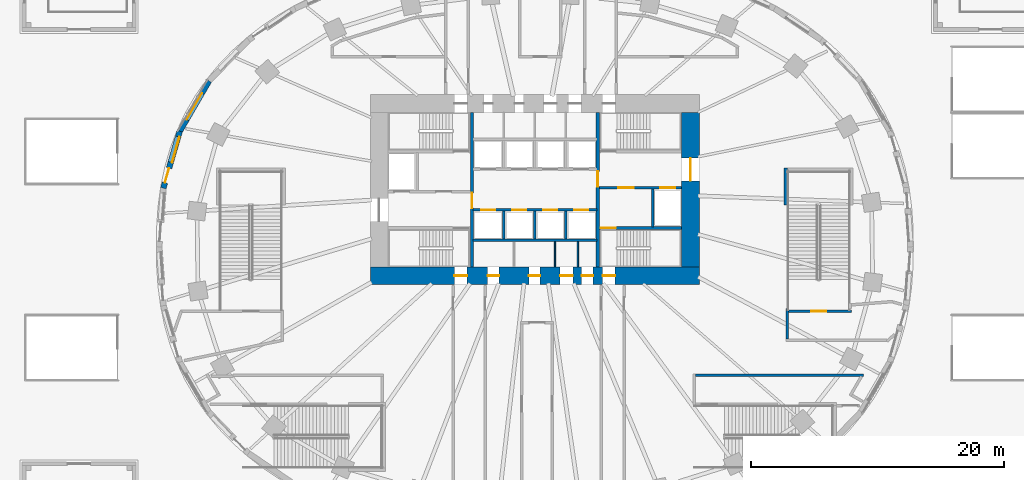
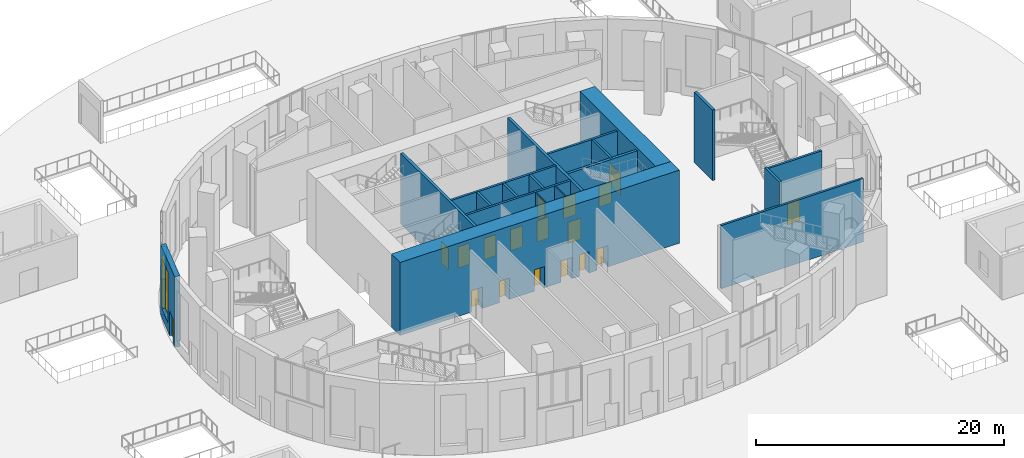
# One storey, part 13 of 27: 20 walls, 19 doors, 1 window, 20 openings.
"""IFC4 building model written with IfcOpenShell, lengths in metres."""

from ifc_helpers import new_model, si_unit, direction, frame, frame_2d, origin, place, context, subcontext, project, spatial, rectangle, extrude, material, layer, layer_set, type_object, element, fill, save


model = new_model("IFC4")

# Units and contexts
model_context = context("Model", 3, precision=1e-05, world=origin(), true_north=direction((0.0, 1.0)))
body_context = subcontext(model_context, "Body", "Model", "MODEL_VIEW")
ifc_project = project(units=[si_unit("LENGTHUNIT", "METRE"), si_unit("AREAUNIT", "SQUARE_METRE"), si_unit("VOLUMEUNIT", "CUBIC_METRE"), si_unit("PLANEANGLEUNIT", "RADIAN"), si_unit("MASSUNIT", "GRAM", prefix="KILO")], contexts=[model_context])

# Site, building, storey
site_placement = place(None, origin())
site = spatial("IfcSite", under=ifc_project, at=site_placement, CompositionType="ELEMENT")
building_placement = place(site_placement, origin())
building = spatial("IfcBuilding", under=site, at=building_placement, Name="Rubra Terraces Tower", CompositionType="ELEMENT")
storey_placement = place(building_placement, origin())
storey = spatial("IfcBuildingStorey", under=building, at=storey_placement, Name="L00", CompositionType="ELEMENT", Elevation=0.0)

# Wall, openings, door, window
ifc_material_1 = material(Name="Brick masonry red-brown", Category="masonry")
ifc_layer_1 = layer(ifc_material_1, 0.449951171875)
ifc_layer_set_1 = layer_set([ifc_layer_1], Name="Brick masonry red-brown")
wall_type_1 = type_object("IfcWallType", Name="Brick facade wall 450", PredefinedType="SOLIDWALL", material=ifc_layer_set_1)
wall_1_placement = place(storey_placement, frame((-28.0517578125, 9.122802734375, 0.0), z_axis=(0.0, 0.0, 1.0), x_axis=(-0.27637239746, -0.961050621935, 0.0)))
wall_1 = element("IfcWall", 1, at=wall_1_placement, inside=storey, type_object=wall_type_1, Name="Facade wall L00 bay 19", PredefinedType="SOLIDWALL", context=body_context, shape_type="SweptSolid", body=[
    extrude(rectangle(XDim=4.685302734375, YDim=0.449951171875, at=frame_2d((2.3427734375, 0.0))), origin(), (0.0, 0.0, 1.0), 6.949951171875),
])
opening_1_placement = place(wall_1_placement, frame((0.449951171875, 0.0, 0.89990234375)))
opening_1 = element("IfcOpeningElement", 2, at=opening_1_placement, cuts=wall_1, Name="Opening W2", PredefinedType="OPENING", context=body_context, shape_type="SweptSolid", body=[
    extrude(rectangle(XDim=2.10009765625, YDim=5.0, at=frame_2d((1.050048828125, 2.5))), frame((0.0, 0.23486328125, 0.0), z_axis=(0.0, -1.0, 0.0), x_axis=(1.0, 0.0, 0.0)), (0.0, 0.0, 1.0), 0.469970703125),
])
opening_2_placement = place(wall_1_placement, frame((3.035400390625, 0.0, 0.0)))
opening_2 = element("IfcOpeningElement", 3, at=opening_2_placement, cuts=wall_1, Name="Opening X2.10", PredefinedType="OPENING", context=body_context, shape_type="SweptSolid", body=[
    extrude(rectangle(XDim=1.199951171875, YDim=2.39990234375, at=frame_2d((0.60009765625, 1.199951171875))), frame((0.0, 0.23486328125, 0.0), z_axis=(0.0, -1.0, 0.0), x_axis=(1.0, 0.0, 0.0)), (0.0, 0.0, 1.0), 0.469970703125),
])
ifc_material_2 = material(Name="Glazed aluminium door leaf", Category="aluminium")
door_type_1 = type_object("IfcDoorType", Name="Exit door 1200 x 2400", OperationType="NOTDEFINED", PredefinedType="DOOR", material=ifc_material_2)
door_1_placement = place(opening_2_placement, frame((1.199951171875, 0.0, 0.0), z_axis=(0.0, 0.0, 1.0), x_axis=(-1.0, 0.0, 0.0)))
door_1 = element("IfcDoor", 4, at=door_1_placement, inside=storey, type_object=door_type_1, Name="Exit door 10", OperationType="SINGLE_SWING_RIGHT", OverallHeight=2.39990234375, OverallWidth=1.199951171875, PredefinedType="DOOR", context=body_context, shape_type="SweptSolid", body=[
    extrude(rectangle(XDim=1.199951171875, YDim=2.39990234375, at=frame_2d((0.60009765625, 1.199951171875))), frame((0.0, 0.02490234375, 0.0), z_axis=(0.0, -1.0, 0.0), x_axis=(1.0, 0.0, 0.0)), (0.0, 0.0, 1.0), 0.050048828125),
])
fill(opening_2, door_1)
ifc_material_3 = material(Name="Clear glass in aluminium frame", Category="aluminium")
window_type = type_object("IfcWindowType", Name="Ground storey fixed window 2100 x 5000", PartitioningType="SINGLE_PANEL", PredefinedType="WINDOW", material=ifc_material_3)
window_placement = place(opening_1_placement, origin())
window = element("IfcWindow", 5, at=window_placement, inside=storey, type_object=window_type, Name="Window L00 bay 19", OverallHeight=5.0, OverallWidth=2.10009765625, PartitioningType="SINGLE_PANEL", PredefinedType="WINDOW", context=body_context, shape_type="SweptSolid", body=[
    extrude(rectangle(XDim=2.10009765625, YDim=5.0, at=frame_2d((1.050048828125, 2.5))), frame((0.0, 0.135009765625, 0.0), z_axis=(0.0, -1.0, 0.0), x_axis=(1.0, 0.0, 0.0)), (0.0, 0.0, 1.0), 0.06005859375),
])
fill(opening_1, window)

# Wall, opening, door
ifc_layer_2 = layer(ifc_material_1, 0.449951171875)
ifc_layer_set_2 = layer_set([ifc_layer_2], Name="Brick masonry red-brown")
wall_type_2 = type_object("IfcWallType", Name="Brick wall under entrance screen 450", PredefinedType="SOLIDWALL", material=ifc_layer_set_2)
wall_2_placement = place(storey_placement, frame((-25.7353515625, 13.09912109375, 0.0), z_axis=(0.0, 0.0, 1.0), x_axis=(-0.502106426501, -0.864805837438, 0.0)))
wall_2 = element("IfcWall", 6, at=wall_2_placement, inside=storey, type_object=wall_type_2, Name="Facade wall L00 bay 18", PredefinedType="SOLIDWALL", context=body_context, shape_type="SweptSolid", body=[
    extrude(rectangle(XDim=4.65673828125, YDim=0.449951171875, at=frame_2d((2.328369140625, 0.0))), origin(), (0.0, 0.0, 1.0), 3.550048828125),
])
opening_3_placement = place(wall_2_placement, frame((1.128173828125, 0.0, 0.0)))
opening_3 = element("IfcOpeningElement", 7, at=opening_3_placement, cuts=wall_2, Name="Opening X1.04", PredefinedType="OPENING", context=body_context, shape_type="SweptSolid", body=[
    extrude(rectangle(XDim=2.39990234375, YDim=3.199951171875, at=frame_2d((1.199951171875, 1.60009765625))), frame((0.0, 0.23486328125, 0.0), z_axis=(0.0, -1.0, 0.0), x_axis=(1.0, 0.0, 0.0)), (0.0, 0.0, 1.0), 0.469970703125),
])
door_type_2 = type_object("IfcDoorType", Name="Entrance double door 2400 x 3200", OperationType="DOUBLE_DOOR_DOUBLE_SWING", PredefinedType="DOOR", material=ifc_material_2)
door_2_placement = place(opening_3_placement, origin())
door_2 = element("IfcDoor", 8, at=door_2_placement, inside=storey, type_object=door_type_2, Name="Entrance double door 4", OperationType="DOUBLE_DOOR_DOUBLE_SWING", OverallHeight=3.199951171875, OverallWidth=2.39990234375, PredefinedType="DOOR", context=body_context, shape_type="SweptSolid", body=[
    extrude(rectangle(XDim=2.39990234375, YDim=3.199951171875, at=frame_2d((1.199951171875, 1.60009765625))), frame((0.0, 0.02490234375, 0.0), z_axis=(0.0, -1.0, 0.0), x_axis=(1.0, 0.0, 0.0)), (0.0, 0.0, 1.0), 0.050048828125),
])
fill(opening_3, door_2)

# Wall, openings, doors
ifc_material_4 = material(Name="Concrete C70", Category="concrete")
ifc_layer_3 = layer(ifc_material_4, 1.39990234375)
ifc_layer_set_3 = layer_set([ifc_layer_3], Name="Concrete C70")
wall_type_3 = type_object("IfcWallType", Name="CORE WALL 1400 C70", PredefinedType="SHEAR", material=ifc_layer_set_3)
wall_3_placement = place(storey_placement, frame((-13.0, -2.300048828125, 0.0), z_axis=(0.0, 0.0, 1.0), x_axis=(1.0, 0.0, 0.0)))
wall_3 = element("IfcWall", 9, at=wall_3_placement, inside=storey, type_object=wall_type_3, Name="CORE WALL S L00", PredefinedType="SHEAR", context=body_context, shape_type="SweptSolid", body=[
    extrude(rectangle(XDim=26.0, YDim=1.39990234375, at=frame_2d((13.0, 0.0))), origin(), (0.0, 0.0, 1.0), 7.199951171875),
])
opening_4_placement = place(wall_3_placement, frame((9.27490234375, 0.0, 0.0)))
opening_4 = element("IfcOpeningElement", 10, at=opening_4_placement, cuts=wall_3, Name="Opening L00.C21", PredefinedType="OPENING", context=body_context, shape_type="SweptSolid", body=[
    extrude(rectangle(XDim=0.89990234375, YDim=2.10009765625, at=frame_2d((0.449951171875, 1.050048828125))), frame((0.0, 0.7099609375, 0.0), z_axis=(0.0, -1.0, 0.0), x_axis=(1.0, 0.0, 0.0)), (0.0, 0.0, 1.0), 1.419921875),
])
opening_5_placement = place(wall_3_placement, frame((12.52490234375, 0.0, 0.0)))
opening_5 = element("IfcOpeningElement", 11, at=opening_5_placement, cuts=wall_3, Name="Opening L00.C22", PredefinedType="OPENING", context=body_context, shape_type="SweptSolid", body=[
    extrude(rectangle(XDim=0.89990234375, YDim=2.10009765625, at=frame_2d((0.449951171875, 1.050048828125))), frame((0.0, 0.7099609375, 0.0), z_axis=(0.0, -1.0, 0.0), x_axis=(1.0, 0.0, 0.0)), (0.0, 0.0, 1.0), 1.419921875),
])
opening_6_placement = place(wall_3_placement, frame((15.0, 0.0, 0.0)))
opening_6 = element("IfcOpeningElement", 12, at=opening_6_placement, cuts=wall_3, Name="Opening L00.C23", PredefinedType="OPENING", context=body_context, shape_type="SweptSolid", body=[
    extrude(rectangle(XDim=1.0, YDim=2.10009765625, at=frame_2d((0.5, 1.050048828125))), frame((0.0, 0.7099609375, 0.0), z_axis=(0.0, -1.0, 0.0), x_axis=(1.0, 0.0, 0.0)), (0.0, 0.0, 1.0), 1.419921875),
])
opening_7_placement = place(wall_3_placement, frame((16.699951171875, 0.0, 0.0)))
opening_7 = element("IfcOpeningElement", 13, at=opening_7_placement, cuts=wall_3, Name="Opening L00.C24", PredefinedType="OPENING", context=body_context, shape_type="SweptSolid", body=[
    extrude(rectangle(XDim=0.89990234375, YDim=2.10009765625, at=frame_2d((0.449951171875, 1.050048828125))), frame((0.0, 0.7099609375, 0.0), z_axis=(0.0, -1.0, 0.0), x_axis=(1.0, 0.0, 0.0)), (0.0, 0.0, 1.0), 1.419921875),
])
opening_8_placement = place(wall_3_placement, frame((6.64990234375, 0.0, 0.0)))
opening_8 = element("IfcOpeningElement", 14, at=opening_8_placement, cuts=wall_3, Name="Opening L00.C29", PredefinedType="OPENING", context=body_context, shape_type="SweptSolid", body=[
    extrude(rectangle(XDim=1.0, YDim=2.10009765625, at=frame_2d((0.5, 1.050048828125))), frame((0.0, 0.7099609375, 0.0), z_axis=(0.0, -1.0, 0.0), x_axis=(1.0, 0.0, 0.0)), (0.0, 0.0, 1.0), 1.419921875),
])
opening_9_placement = place(wall_3_placement, frame((18.35009765625, 0.0, 0.0)))
opening_9 = element("IfcOpeningElement", 15, at=opening_9_placement, cuts=wall_3, Name="Opening L00.C32", PredefinedType="OPENING", context=body_context, shape_type="SweptSolid", body=[
    extrude(rectangle(XDim=1.0, YDim=2.10009765625, at=frame_2d((0.5, 1.050048828125))), frame((0.0, 0.7099609375, 0.0), z_axis=(0.0, -1.0, 0.0), x_axis=(1.0, 0.0, 0.0)), (0.0, 0.0, 1.0), 1.419921875),
])
ifc_material_5 = material(Name="Painted steel", Category="steel")
door_type_3 = type_object("IfcDoorType", Name="Fire door 1000x2100 single", OperationType="NOTDEFINED", PredefinedType="DOOR", material=ifc_material_5)
door_3_placement = place(opening_6_placement, origin())
door_3 = element("IfcDoor", 16, at=door_3_placement, inside=storey, type_object=door_type_3, Name="Accessible WC door", OperationType="SINGLE_SWING_LEFT", OverallHeight=2.10009765625, OverallWidth=1.0, PredefinedType="DOOR", context=body_context, shape_type="SweptSolid", body=[
    extrude(rectangle(XDim=1.0, YDim=2.10009765625, at=frame_2d((0.5, 1.050048828125))), frame((0.0, 0.02490234375, 0.0), z_axis=(0.0, -1.0, 0.0), x_axis=(1.0, 0.0, 0.0)), (0.0, 0.0, 1.0), 0.050048828125),
])
fill(opening_6, door_3)
door_4_placement = place(opening_8_placement, origin())
door_4 = element("IfcDoor", 17, at=door_4_placement, inside=storey, type_object=door_type_3, Name="Stair S1 exit door", OperationType="SINGLE_SWING_LEFT", OverallHeight=2.10009765625, OverallWidth=1.0, PredefinedType="DOOR", context=body_context, shape_type="SweptSolid", body=[
    extrude(rectangle(XDim=1.0, YDim=2.10009765625, at=frame_2d((0.5, 1.050048828125))), frame((0.0, 0.02490234375, 0.0), z_axis=(0.0, -1.0, 0.0), x_axis=(1.0, 0.0, 0.0)), (0.0, 0.0, 1.0), 0.050048828125),
])
fill(opening_8, door_4)
door_5_placement = place(opening_9_placement, origin())
door_5 = element("IfcDoor", 18, at=door_5_placement, inside=storey, type_object=door_type_3, Name="Stair S4 exit door", OperationType="SINGLE_SWING_RIGHT", OverallHeight=2.10009765625, OverallWidth=1.0, PredefinedType="DOOR", context=body_context, shape_type="SweptSolid", body=[
    extrude(rectangle(XDim=1.0, YDim=2.10009765625, at=frame_2d((0.5, 1.050048828125))), frame((0.0, 0.02490234375, 0.0), z_axis=(0.0, -1.0, 0.0), x_axis=(1.0, 0.0, 0.0)), (0.0, 0.0, 1.0), 0.050048828125),
])
fill(opening_9, door_5)
door_type_4 = type_object("IfcDoorType", Name="Fire door 900x2100 single", OperationType="NOTDEFINED", PredefinedType="DOOR", material=ifc_material_5)
door_6_placement = place(opening_4_placement, origin())
door_6 = element("IfcDoor", 19, at=door_6_placement, inside=storey, type_object=door_type_4, Name="Ladies WC door", OperationType="SINGLE_SWING_LEFT", OverallHeight=2.10009765625, OverallWidth=0.89990234375, PredefinedType="DOOR", context=body_context, shape_type="SweptSolid", body=[
    extrude(rectangle(XDim=0.89990234375, YDim=2.10009765625, at=frame_2d((0.449951171875, 1.050048828125))), frame((0.0, 0.02490234375, 0.0), z_axis=(0.0, -1.0, 0.0), x_axis=(1.0, 0.0, 0.0)), (0.0, 0.0, 1.0), 0.050048828125),
])
fill(opening_4, door_6)
door_7_placement = place(opening_5_placement, origin())
door_7 = element("IfcDoor", 20, at=door_7_placement, inside=storey, type_object=door_type_4, Name="Gents WC door", OperationType="SINGLE_SWING_RIGHT", OverallHeight=2.10009765625, OverallWidth=0.89990234375, PredefinedType="DOOR", context=body_context, shape_type="SweptSolid", body=[
    extrude(rectangle(XDim=0.89990234375, YDim=2.10009765625, at=frame_2d((0.449951171875, 1.050048828125))), frame((0.0, 0.02490234375, 0.0), z_axis=(0.0, -1.0, 0.0), x_axis=(1.0, 0.0, 0.0)), (0.0, 0.0, 1.0), 0.050048828125),
])
fill(opening_5, door_7)
door_8_placement = place(opening_7_placement, origin())
door_8 = element("IfcDoor", 21, at=door_8_placement, inside=storey, type_object=door_type_4, Name="Cleaner's store door", OperationType="SINGLE_SWING_RIGHT", OverallHeight=2.10009765625, OverallWidth=0.89990234375, PredefinedType="DOOR", context=body_context, shape_type="SweptSolid", body=[
    extrude(rectangle(XDim=0.89990234375, YDim=2.10009765625, at=frame_2d((0.449951171875, 1.050048828125))), frame((0.0, 0.02490234375, 0.0), z_axis=(0.0, -1.0, 0.0), x_axis=(1.0, 0.0, 0.0)), (0.0, 0.0, 1.0), 0.050048828125),
])
fill(opening_7, door_8)

# Wall, opening, door
wall_4_placement = place(storey_placement, frame((12.300048828125, -1.60009765625, 0.0), z_axis=(0.0, 0.0, 1.0), x_axis=(0.0, 1.0, 0.0)))
wall_4 = element("IfcWall", 22, at=wall_4_placement, inside=storey, type_object=wall_type_3, Name="CORE WALL E L00", PredefinedType="SHEAR", context=body_context, shape_type="SweptSolid", body=[
    extrude(rectangle(XDim=12.2001953125, YDim=1.39990234375, at=frame_2d((6.10009765625, 0.0))), origin(), (0.0, 0.0, 1.0), 7.199951171875),
])
opening_10_placement = place(wall_4_placement, frame((6.800048828125, 0.0, 0.0)))
opening_10 = element("IfcOpeningElement", 23, at=opening_10_placement, cuts=wall_4, Name="Opening L00.C02", PredefinedType="OPENING", context=body_context, shape_type="SweptSolid", body=[
    extrude(rectangle(XDim=1.800048828125, YDim=2.10009765625, at=frame_2d((0.89990234375, 1.050048828125))), frame((0.0, 0.7099609375, 0.0), z_axis=(0.0, -1.0, 0.0), x_axis=(1.0, 0.0, 0.0)), (0.0, 0.0, 1.0), 1.419921875),
])
door_type_5 = type_object("IfcDoorType", Name="Fire door 1800x2100 double", OperationType="NOTDEFINED", PredefinedType="DOOR", material=ifc_material_5)
door_9_placement = place(opening_10_placement, origin())
door_9 = element("IfcDoor", 24, at=door_9_placement, inside=storey, type_object=door_type_5, Name="Core entrance door FF2", OperationType="DOUBLE_DOOR_SINGLE_SWING", OverallHeight=2.10009765625, OverallWidth=1.800048828125, PredefinedType="DOOR", context=body_context, shape_type="SweptSolid", body=[
    extrude(rectangle(XDim=1.800048828125, YDim=2.10009765625, at=frame_2d((0.89990234375, 1.050048828125))), frame((0.0, 0.02490234375, 0.0), z_axis=(0.0, -1.0, 0.0), x_axis=(1.0, 0.0, 0.0)), (0.0, 0.0, 1.0), 0.050048828125),
])
fill(opening_10, door_9)

# Wall, openings, doors
ifc_material_6 = material(Name="Concrete C30", Category="concrete")
ifc_layer_4 = layer(ifc_material_6, 0.199951171875)
ifc_layer_set_4 = layer_set([ifc_layer_4], Name="Concrete C30")
wall_type_4 = type_object("IfcWallType", Name="Core wall 200 concrete", PredefinedType="SOLIDWALL", material=ifc_layer_set_4)
wall_5_placement = place(storey_placement, frame((11.60009765625, 4.64990234375, 0.0), z_axis=(0.0, 0.0, 1.0), x_axis=(-1.0, 0.0, 0.0)))
wall_5 = element("IfcWall", 25, at=wall_5_placement, inside=storey, type_object=wall_type_4, Name="STAIR WALL L00", PredefinedType="SOLIDWALL", context=body_context, shape_type="SweptSolid", body=[
    extrude(rectangle(XDim=6.5, YDim=0.199951171875, at=frame_2d((3.25, 0.0))), origin(), (0.0, 0.0, 1.0), 6.949951171875),
])
opening_11_placement = place(wall_5_placement, frame((3.800048828125, 0.0, 0.0)))
opening_11 = element("IfcOpeningElement", 26, at=opening_11_placement, cuts=wall_5, Name="Opening L00.C06", PredefinedType="OPENING", context=body_context, shape_type="SweptSolid", body=[
    extrude(rectangle(XDim=1.199951171875, YDim=2.10009765625, at=frame_2d((0.60009765625, 1.050048828125))), frame((0.0, 0.10986328125, 0.0), z_axis=(0.0, -1.0, 0.0), x_axis=(1.0, 0.0, 0.0)), (0.0, 0.0, 1.0), 0.219970703125),
])
opening_12_placement = place(wall_5_placement, frame((0.5, 0.0, 0.0)))
opening_12 = element("IfcOpeningElement", 27, at=opening_12_placement, cuts=wall_5, Name="Opening L00.C12", PredefinedType="OPENING", context=body_context, shape_type="SweptSolid", body=[
    extrude(rectangle(XDim=1.199951171875, YDim=2.10009765625, at=frame_2d((0.60009765625, 1.050048828125))), frame((0.0, 0.10986328125, 0.0), z_axis=(0.0, -1.0, 0.0), x_axis=(1.0, 0.0, 0.0)), (0.0, 0.0, 1.0), 0.219970703125),
])
door_type_6 = type_object("IfcDoorType", Name="Fire door 1200x2100 single", OperationType="NOTDEFINED", PredefinedType="DOOR", material=ifc_material_5)
door_10_placement = place(opening_11_placement, origin())
door_10 = element("IfcDoor", 28, at=door_10_placement, inside=storey, type_object=door_type_6, Name="Stair vestibule door S4", OperationType="SINGLE_SWING_RIGHT", OverallHeight=2.10009765625, OverallWidth=1.199951171875, PredefinedType="DOOR", context=body_context, shape_type="SweptSolid", body=[
    extrude(rectangle(XDim=1.199951171875, YDim=2.10009765625, at=frame_2d((0.60009765625, 1.050048828125))), frame((0.0, 0.02490234375, 0.0), z_axis=(0.0, -1.0, 0.0), x_axis=(1.0, 0.0, 0.0)), (0.0, 0.0, 1.0), 0.050048828125),
])
fill(opening_11, door_10)
ifc_material_7 = material(Name="Stainless steel", Category="steel")
door_type_7 = type_object("IfcDoorType", Name="Lift landing door 1200x2100", OperationType="NOTDEFINED", PredefinedType="DOOR", material=ifc_material_7)
door_11_placement = place(opening_12_placement, origin())
door_11 = element("IfcDoor", 29, at=door_11_placement, inside=storey, type_object=door_type_7, Name="Landing door FF2", OperationType="SLIDING_TO_RIGHT", OverallHeight=2.10009765625, OverallWidth=1.199951171875, PredefinedType="DOOR", context=body_context, shape_type="SweptSolid", body=[
    extrude(rectangle(XDim=1.199951171875, YDim=2.10009765625, at=frame_2d((0.60009765625, 1.050048828125))), frame((0.0, 0.02490234375, 0.0), z_axis=(0.0, -1.0, 0.0), x_axis=(1.0, 0.0, 0.0)), (0.0, 0.0, 1.0), 0.050048828125),
])
fill(opening_12, door_11)

# Walls
wall_6_placement = place(storey_placement, frame((9.300048828125, 4.550048828125, 0.0), z_axis=(0.0, 0.0, 1.0), x_axis=(0.0, -1.0, 0.0)))
element("IfcWall", 30, at=wall_6_placement, inside=storey, type_object=wall_type_4, Name="STAIR WALL L00", PredefinedType="SOLIDWALL", context=body_context, shape_type="SweptSolid", body=[
    extrude(rectangle(XDim=3.0, YDim=0.199951171875, at=frame_2d((1.5, 0.0))), origin(), (0.0, 0.0, 1.0), 6.949951171875),
])
wall_7_placement = place(storey_placement, frame((-4.89990234375, 0.5, 0.0), z_axis=(0.0, 0.0, 1.0), x_axis=(1.0, 0.0, 0.0)))
element("IfcWall", 31, at=wall_7_placement, inside=storey, type_object=wall_type_4, Name="LIFT SHAFT WALL L00", PredefinedType="SOLIDWALL", context=body_context, shape_type="SweptSolid", body=[
    extrude(rectangle(XDim=9.7998046875, YDim=0.199951171875, at=frame_2d((4.89990234375, 0.0))), origin(), (0.0, 0.0, 1.0), 6.949951171875),
])

# Wall, openings, doors
wall_8_placement = place(storey_placement, frame((-4.89990234375, 2.89990234375, 0.0), z_axis=(0.0, 0.0, 1.0), x_axis=(1.0, 0.0, 0.0)))
wall_8 = element("IfcWall", 32, at=wall_8_placement, inside=storey, type_object=wall_type_4, Name="LIFT SHAFT WALL L00", PredefinedType="SOLIDWALL", context=body_context, shape_type="SweptSolid", body=[
    extrude(rectangle(XDim=9.7998046875, YDim=0.199951171875, at=frame_2d((4.89990234375, 0.0))), origin(), (0.0, 0.0, 1.0), 6.949951171875),
])
opening_13_placement = place(wall_8_placement, frame((0.675048828125, 0.0, 0.0)))
opening_13 = element("IfcOpeningElement", 33, at=opening_13_placement, cuts=wall_8, Name="Opening L00.C13", PredefinedType="OPENING", context=body_context, shape_type="SweptSolid", body=[
    extrude(rectangle(XDim=1.10009765625, YDim=2.10009765625, at=frame_2d((0.550048828125, 1.050048828125))), frame((0.0, 0.10986328125, 0.0), z_axis=(0.0, -1.0, 0.0), x_axis=(1.0, 0.0, 0.0)), (0.0, 0.0, 1.0), 0.219970703125),
])
opening_14_placement = place(wall_8_placement, frame((3.125, 0.0, 0.0)))
opening_14 = element("IfcOpeningElement", 34, at=opening_14_placement, cuts=wall_8, Name="Opening L00.C14", PredefinedType="OPENING", context=body_context, shape_type="SweptSolid", body=[
    extrude(rectangle(XDim=1.10009765625, YDim=2.10009765625, at=frame_2d((0.550048828125, 1.050048828125))), frame((0.0, 0.10986328125, 0.0), z_axis=(0.0, -1.0, 0.0), x_axis=(1.0, 0.0, 0.0)), (0.0, 0.0, 1.0), 0.219970703125),
])
opening_15_placement = place(wall_8_placement, frame((5.574951171875, 0.0, 0.0)))
opening_15 = element("IfcOpeningElement", 35, at=opening_15_placement, cuts=wall_8, Name="Opening L00.C15", PredefinedType="OPENING", context=body_context, shape_type="SweptSolid", body=[
    extrude(rectangle(XDim=1.10009765625, YDim=2.10009765625, at=frame_2d((0.550048828125, 1.050048828125))), frame((0.0, 0.10986328125, 0.0), z_axis=(0.0, -1.0, 0.0), x_axis=(1.0, 0.0, 0.0)), (0.0, 0.0, 1.0), 0.219970703125),
])
opening_16_placement = place(wall_8_placement, frame((8.02490234375, 0.0, 0.0)))
opening_16 = element("IfcOpeningElement", 36, at=opening_16_placement, cuts=wall_8, Name="Opening L00.C16", PredefinedType="OPENING", context=body_context, shape_type="SweptSolid", body=[
    extrude(rectangle(XDim=1.10009765625, YDim=2.10009765625, at=frame_2d((0.550048828125, 1.050048828125))), frame((0.0, 0.10986328125, 0.0), z_axis=(0.0, -1.0, 0.0), x_axis=(1.0, 0.0, 0.0)), (0.0, 0.0, 1.0), 0.219970703125),
])
door_type_8 = type_object("IfcDoorType", Name="Lift landing door 1100x2100", OperationType="NOTDEFINED", PredefinedType="DOOR", material=ifc_material_7)
door_12_placement = place(opening_13_placement, origin())
door_12 = element("IfcDoor", 37, at=door_12_placement, inside=storey, type_object=door_type_8, Name="Landing door LB1", OperationType="SLIDING_TO_RIGHT", OverallHeight=2.10009765625, OverallWidth=1.10009765625, PredefinedType="DOOR", context=body_context, shape_type="SweptSolid", body=[
    extrude(rectangle(XDim=1.10009765625, YDim=2.10009765625, at=frame_2d((0.550048828125, 1.050048828125))), frame((0.0, 0.02490234375, 0.0), z_axis=(0.0, -1.0, 0.0), x_axis=(1.0, 0.0, 0.0)), (0.0, 0.0, 1.0), 0.050048828125),
])
fill(opening_13, door_12)
door_13_placement = place(opening_14_placement, origin())
door_13 = element("IfcDoor", 38, at=door_13_placement, inside=storey, type_object=door_type_8, Name="Landing door LB2", OperationType="SLIDING_TO_LEFT", OverallHeight=2.10009765625, OverallWidth=1.10009765625, PredefinedType="DOOR", context=body_context, shape_type="SweptSolid", body=[
    extrude(rectangle(XDim=1.10009765625, YDim=2.10009765625, at=frame_2d((0.550048828125, 1.050048828125))), frame((0.0, 0.02490234375, 0.0), z_axis=(0.0, -1.0, 0.0), x_axis=(1.0, 0.0, 0.0)), (0.0, 0.0, 1.0), 0.050048828125),
])
fill(opening_14, door_13)
door_14_placement = place(opening_15_placement, origin())
door_14 = element("IfcDoor", 39, at=door_14_placement, inside=storey, type_object=door_type_8, Name="Landing door SH1", OperationType="SLIDING_TO_LEFT", OverallHeight=2.10009765625, OverallWidth=1.10009765625, PredefinedType="DOOR", context=body_context, shape_type="SweptSolid", body=[
    extrude(rectangle(XDim=1.10009765625, YDim=2.10009765625, at=frame_2d((0.550048828125, 1.050048828125))), frame((0.0, 0.02490234375, 0.0), z_axis=(0.0, -1.0, 0.0), x_axis=(1.0, 0.0, 0.0)), (0.0, 0.0, 1.0), 0.050048828125),
])
fill(opening_15, door_14)
door_15_placement = place(opening_16_placement, origin())
door_15 = element("IfcDoor", 40, at=door_15_placement, inside=storey, type_object=door_type_8, Name="Landing door SH2", OperationType="SLIDING_TO_RIGHT", OverallHeight=2.10009765625, OverallWidth=1.10009765625, PredefinedType="DOOR", context=body_context, shape_type="SweptSolid", body=[
    extrude(rectangle(XDim=1.10009765625, YDim=2.10009765625, at=frame_2d((0.550048828125, 1.050048828125))), frame((0.0, 0.02490234375, 0.0), z_axis=(0.0, -1.0, 0.0), x_axis=(1.0, 0.0, 0.0)), (0.0, 0.0, 1.0), 0.050048828125),
])
fill(opening_16, door_15)

# Walls
for number, where, z_axis, x_axis, name in (
    (41, (-2.449951171875, 0.60009765625, 0.0), (0.0, 0.0, 1.0), (0.0, 1.0, 0.0), "LIFT SHAFT WALL L00"),
    (42, (0.0, 0.60009765625, 0.0), (0.0, 0.0, 1.0), (0.0, 1.0, 0.0), "LIFT SHAFT WALL L00"),
    (43, (2.449951171875, 0.60009765625, 0.0), (0.0, 0.0, 1.0), (0.0, 1.0, 0.0), "LIFT SHAFT WALL L00"),
):
    element("IfcWall", number, at=place(storey_placement, frame(where, z_axis=z_axis, x_axis=x_axis)), inside=storey, type_object=wall_type_4, Name=name, PredefinedType="SOLIDWALL", context=body_context, shape_type="SweptSolid", body=[
        extrude(rectangle(XDim=2.199951171875, YDim=0.199951171875, at=frame_2d((1.10009765625, 0.0))), origin(), (0.0, 0.0, 1.0), 6.949951171875),
    ])
ifc_material_8 = material(Name="Blockwork", Category="masonry")
ifc_layer_5 = layer(ifc_material_8, 0.199951171875)
ifc_layer_set_5 = layer_set([ifc_layer_5], Name="Blockwork")
wall_type_5 = type_object("IfcWallType", Name="Corridor partition 200 blockwork", PredefinedType="PARTITIONING", material=ifc_layer_set_5)
wall_9_placement = place(storey_placement, frame((19.949951171875, -7.300048828125, 0.0), z_axis=(0.0, 0.0, 1.0), x_axis=(0.0, 1.0, 0.0)))
element("IfcWall", 44, at=wall_9_placement, inside=storey, type_object=wall_type_5, Name="Partition wall", PredefinedType="PARTITIONING", context=body_context, shape_type="SweptSolid", body=[
    extrude(rectangle(XDim=2.400146484375, YDim=0.199951171875, at=frame_2d((1.2001953125, 0.0))), origin(), (0.0, 0.0, 1.0), 6.22998046875),
])

# Wall, opening, door
wall_10_placement = place(storey_placement, frame((20.050048828125, -5.10009765625, 0.0), z_axis=(0.0, 0.0, 1.0), x_axis=(1.0, 0.0, 0.0)))
wall_10 = element("IfcWall", 45, at=wall_10_placement, inside=storey, type_object=wall_type_5, Name="Partition wall", PredefinedType="PARTITIONING", context=body_context, shape_type="SweptSolid", body=[
    extrude(rectangle(XDim=4.949951171875, YDim=0.199951171875, at=frame_2d((2.47509765625, 0.0))), origin(), (0.0, 0.0, 1.0), 6.22998046875),
])
opening_17_placement = place(wall_10_placement, frame((1.77490234375, 0.0, 0.0)))
opening_17 = element("IfcOpeningElement", 46, at=opening_17_placement, cuts=wall_10, Name="Opening DB7", PredefinedType="OPENING", context=body_context, shape_type="SweptSolid", body=[
    extrude(rectangle(XDim=1.199951171875, YDim=2.10009765625, at=frame_2d((0.60009765625, 1.050048828125))), frame((0.0, 0.10986328125, 0.0), z_axis=(0.0, -1.0, 0.0), x_axis=(1.0, 0.0, 0.0)), (0.0, 0.0, 1.0), 0.219970703125),
])
ifc_material_9 = material(Name="Painted timber", Category="wood")
door_type_9 = type_object("IfcDoorType", Name="Door 1200x2100 single", OperationType="NOTDEFINED", PredefinedType="DOOR", material=ifc_material_9)
door_16_placement = place(opening_17_placement, origin())
door_16 = element("IfcDoor", 47, at=door_16_placement, inside=storey, type_object=door_type_9, Name="Stair door L00-12", OperationType="SINGLE_SWING_LEFT", OverallHeight=2.10009765625, OverallWidth=1.199951171875, PredefinedType="DOOR", context=body_context, shape_type="SweptSolid", body=[
    extrude(rectangle(XDim=1.199951171875, YDim=2.10009765625, at=frame_2d((0.60009765625, 1.050048828125))), frame((0.0, 0.02490234375, 0.0), z_axis=(0.0, -1.0, 0.0), x_axis=(1.0, 0.0, 0.0)), (0.0, 0.0, 1.0), 0.050048828125),
])
fill(opening_17, door_16)

# Walls
wall_11_placement = place(storey_placement, frame((12.699951171875, -10.14990234375, 0.0), z_axis=(0.0, 0.0, 1.0), x_axis=(1.0, 0.0, 0.0)))
element("IfcWall", 48, at=wall_11_placement, inside=storey, type_object=wall_type_5, Name="Partition wall", PredefinedType="PARTITIONING", context=body_context, shape_type="SweptSolid", body=[
    extrude(rectangle(XDim=13.257080078125, YDim=0.199951171875, at=frame_2d((6.62841796875, 0.0))), origin(), (0.0, 0.0, 1.0), 6.22998046875),
])
ifc_layer_6 = layer(ifc_material_8, 0.10009765625)
ifc_layer_set_6 = layer_set([ifc_layer_6], Name="Blockwork")
wall_type_6 = type_object("IfcWallType", Name="Service partition 100 blockwork", PredefinedType="PARTITIONING", material=ifc_layer_set_6)
for number, where, z_axis, x_axis, name in (
    (49, (1.60009765625, -1.60009765625, 0.0), (0.0, 0.0, 1.0), (0.0, 1.0, 0.0), "SERVICE ROOM PARTITION L00"),
    (50, (3.39990234375, -1.60009765625, 0.0), (0.0, 0.0, 1.0), (0.0, 1.0, 0.0), "SERVICE ROOM PARTITION L00"),
):
    element("IfcWall", number, at=place(storey_placement, frame(where, z_axis=z_axis, x_axis=x_axis)), inside=storey, type_object=wall_type_6, Name=name, PredefinedType="PARTITIONING", context=body_context, shape_type="SweptSolid", body=[
        extrude(rectangle(XDim=2.0, YDim=0.10009765625, at=frame_2d((1.0, 0.0))), origin(), (0.0, 0.0, 1.0), 6.949951171875),
    ])

# Wall, opening, door
ifc_material_10 = material(Name="Concrete C40", Category="concrete")
ifc_layer_7 = layer(ifc_material_10, 0.25)
ifc_layer_set_7 = layer_set([ifc_layer_7], Name="Concrete C40")
wall_type_7 = type_object("IfcWallType", Name="Stair enclosure wall 250 concrete", PredefinedType="SOLIDWALL", material=ifc_layer_set_7)
wall_12_placement = place(storey_placement, frame((11.60009765625, 1.47509765625, 0.0), z_axis=(0.0, 0.0, 1.0), x_axis=(-1.0, 0.0, 0.0)))
wall_12 = element("IfcWall", 51, at=wall_12_placement, inside=storey, type_object=wall_type_7, Name="STAIR WALL L00", PredefinedType="SOLIDWALL", context=body_context, shape_type="SweptSolid", body=[
    extrude(rectangle(XDim=6.5, YDim=0.25, at=frame_2d((3.25, 0.0))), origin(), (0.0, 0.0, 1.0), 6.949951171875),
])
opening_18_placement = place(wall_12_placement, frame((5.199951171875, 0.0, 0.0)))
opening_18 = element("IfcOpeningElement", 52, at=opening_18_placement, cuts=wall_12, Name="Opening L00.C10", PredefinedType="OPENING", context=body_context, shape_type="SweptSolid", body=[
    extrude(rectangle(XDim=1.199951171875, YDim=2.10009765625, at=frame_2d((0.60009765625, 1.050048828125))), frame((0.0, 0.135009765625, 0.0), z_axis=(0.0, -1.0, 0.0), x_axis=(1.0, 0.0, 0.0)), (0.0, 0.0, 1.0), 0.27001953125),
])
door_17_placement = place(opening_18_placement, origin())
door_17 = element("IfcDoor", 53, at=door_17_placement, inside=storey, type_object=door_type_6, Name="Stair door S4", OperationType="SINGLE_SWING_RIGHT", OverallHeight=2.10009765625, OverallWidth=1.199951171875, PredefinedType="DOOR", context=body_context, shape_type="SweptSolid", body=[
    extrude(rectangle(XDim=1.199951171875, YDim=2.10009765625, at=frame_2d((0.60009765625, 1.050048828125))), frame((0.0, 0.02490234375, 0.0), z_axis=(0.0, -1.0, 0.0), x_axis=(1.0, 0.0, 0.0)), (0.0, 0.0, 1.0), 0.050048828125),
])
fill(opening_18, door_17)

wall_13_placement = place(storey_placement, frame((-4.97509765625, -1.60009765625, 0.0), z_axis=(0.0, 0.0, 1.0), x_axis=(0.0, 1.0, 0.0)))
wall_13 = element("IfcWall", 54, at=wall_13_placement, inside=storey, type_object=wall_type_7, Name="CORE LOBBY WALL L00", PredefinedType="SOLIDWALL", context=body_context, shape_type="SweptSolid", body=[
    extrude(rectangle(XDim=12.2001953125, YDim=0.25, at=frame_2d((6.10009765625, 0.0))), origin(), (0.0, 0.0, 1.0), 6.949951171875),
])
opening_19_placement = place(wall_13_placement, frame((4.64990234375, 0.0, 0.0)))
opening_19 = element("IfcOpeningElement", 55, at=opening_19_placement, cuts=wall_13, Name="Opening L00.C03", PredefinedType="OPENING", context=body_context, shape_type="SweptSolid", body=[
    extrude(rectangle(XDim=1.199951171875, YDim=2.10009765625, at=frame_2d((0.60009765625, 1.050048828125))), frame((0.0, 0.135009765625, 0.0), z_axis=(0.0, -1.0, 0.0), x_axis=(1.0, 0.0, 0.0)), (0.0, 0.0, 1.0), 0.27001953125),
])
door_18_placement = place(opening_19_placement, origin())
door_18 = element("IfcDoor", 56, at=door_18_placement, inside=storey, type_object=door_type_6, Name="Firefighting lobby door FF1", OperationType="SINGLE_SWING_LEFT", OverallHeight=2.10009765625, OverallWidth=1.199951171875, PredefinedType="DOOR", context=body_context, shape_type="SweptSolid", body=[
    extrude(rectangle(XDim=1.199951171875, YDim=2.10009765625, at=frame_2d((0.60009765625, 1.050048828125))), frame((0.0, 0.02490234375, 0.0), z_axis=(0.0, -1.0, 0.0), x_axis=(1.0, 0.0, 0.0)), (0.0, 0.0, 1.0), 0.050048828125),
])
fill(opening_19, door_18)

wall_14_placement = place(storey_placement, frame((4.97509765625, 10.60009765625, 0.0), z_axis=(0.0, 0.0, 1.0), x_axis=(0.0, -1.0, 0.0)))
wall_14 = element("IfcWall", 57, at=wall_14_placement, inside=storey, type_object=wall_type_7, Name="CORE LOBBY WALL L00", PredefinedType="SOLIDWALL", context=body_context, shape_type="SweptSolid", body=[
    extrude(rectangle(XDim=12.2001953125, YDim=0.25, at=frame_2d((6.10009765625, 0.0))), origin(), (0.0, 0.0, 1.0), 6.949951171875),
])
opening_20_placement = place(wall_14_placement, frame((4.64990234375, 0.0, 0.0)))
opening_20 = element("IfcOpeningElement", 58, at=opening_20_placement, cuts=wall_14, Name="Opening L00.C04", PredefinedType="OPENING", context=body_context, shape_type="SweptSolid", body=[
    extrude(rectangle(XDim=1.199951171875, YDim=2.10009765625, at=frame_2d((0.60009765625, 1.050048828125))), frame((0.0, 0.135009765625, 0.0), z_axis=(0.0, -1.0, 0.0), x_axis=(1.0, 0.0, 0.0)), (0.0, 0.0, 1.0), 0.27001953125),
])
door_19_placement = place(opening_20_placement, origin())
door_19 = element("IfcDoor", 59, at=door_19_placement, inside=storey, type_object=door_type_6, Name="Firefighting lobby door FF2", OperationType="SINGLE_SWING_RIGHT", OverallHeight=2.10009765625, OverallWidth=1.199951171875, PredefinedType="DOOR", context=body_context, shape_type="SweptSolid", body=[
    extrude(rectangle(XDim=1.199951171875, YDim=2.10009765625, at=frame_2d((0.60009765625, 1.050048828125))), frame((0.0, 0.02490234375, 0.0), z_axis=(0.0, -1.0, 0.0), x_axis=(1.0, 0.0, 0.0)), (0.0, 0.0, 1.0), 0.050048828125),
])
fill(opening_20, door_19)

# Wall
ifc_material_11 = material(Name="Concrete C40/50", Category="concrete")
ifc_layer_8 = layer(ifc_material_11, 0.25)
ifc_layer_set_8 = layer_set([ifc_layer_8], Name="Concrete C40/50")
wall_type_8 = type_object("IfcWallType", Name="Stair end wall 250 concrete", PredefinedType="SOLIDWALL", material=ifc_layer_set_8)
wall_15_placement = place(storey_placement, frame((19.824951171875, 3.280029296875, 0.0), z_axis=(0.0, 0.0, 1.0), x_axis=(0.0, 1.0, 0.0)))
element("IfcWall", 60, at=wall_15_placement, inside=storey, type_object=wall_type_8, Name="Stair end wall", PredefinedType="SOLIDWALL", context=body_context, shape_type="SweptSolid", body=[
    extrude(rectangle(XDim=2.929931640625, YDim=0.25, at=frame_2d((1.46484375, 0.0))), origin(), (0.0, 0.0, 1.0), 6.949951171875),
])

save(model, "model.ifc")
